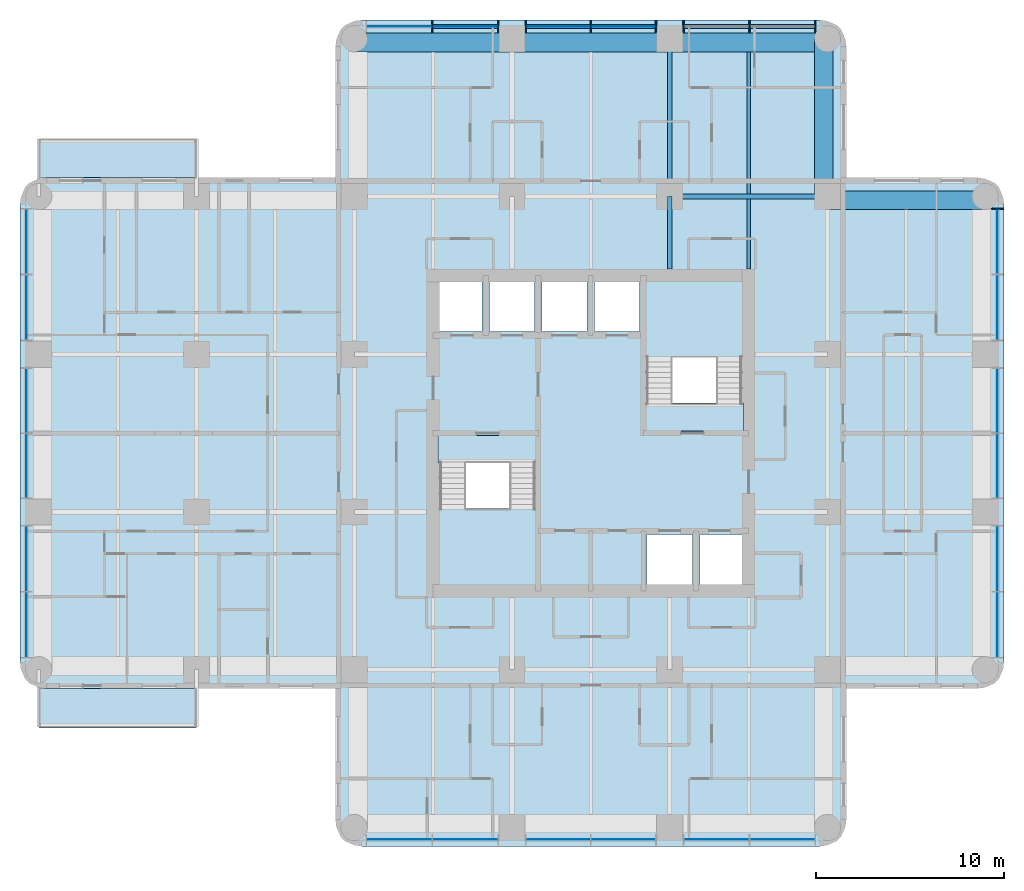
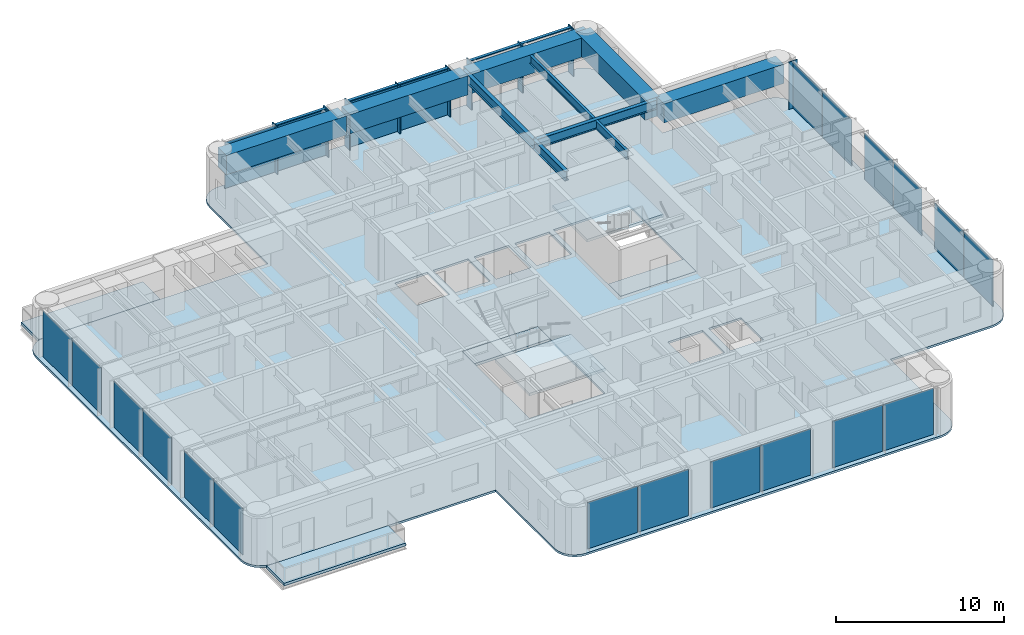
# One storey, part 3 of 11: 22 plates, 14 members, 10 beams, 7 slabs, 6 elements without a shape of their own.
"""IFC4 building model written with IfcOpenShell, lengths in metres."""

from ifc_helpers import new_model, si_unit, direction, frame, origin, origin_2d, place, context, subcontext, project, spatial, polyline, rectangle, i_section, outline, extrude, material, layer, layer_set, material_profile, profile_set, type_object, element, aggregate, save


model = new_model("IFC4")

# Units and contexts
model_context = context("Model", 3, precision=1e-05, world=origin(), true_north=direction((0.0, 1.0)))
body_context = subcontext(model_context, "Body", "Model", "MODEL_VIEW")
ifc_project = project(units=[si_unit("LENGTHUNIT", "METRE"), si_unit("AREAUNIT", "SQUARE_METRE"), si_unit("VOLUMEUNIT", "CUBIC_METRE"), si_unit("PLANEANGLEUNIT", "RADIAN"), si_unit("MASSUNIT", "GRAM", prefix="KILO")], contexts=[model_context])

# Site, building, storey
site_placement = place(None, origin())
site = spatial("IfcSite", under=ifc_project, at=site_placement, CompositionType="ELEMENT")
building_placement = place(site_placement, origin())
building = spatial("IfcBuilding", under=site, at=building_placement, Name="Torre Alcanfor", CompositionType="ELEMENT")
storey_placement = place(building_placement, frame((0.0, 0.0, 194.10009765625)))
storey = spatial("IfcBuildingStorey", under=building, at=storey_placement, Name="L50", CompositionType="ELEMENT", Elevation=194.10009765625)

# Curtain wall, member
ifc_material_1 = material(Name="Aluminium and glass", Category="aluminium")
curtain_wall_type = type_object("IfcCurtainWallType", Name="CW-A unitised apartment glazing with vertical FIN", PredefinedType="NOTDEFINED", material=ifc_material_1)
curtain_wall_1_placement = place(storey_placement, origin())
curtain_wall_1 = element("IfcCurtainWall", 1, at=curtain_wall_1_placement, inside=storey, type_object=curtain_wall_type, Name="Curtain wall CW-A L50 8", PredefinedType="NOTDEFINED")
ifc_material_2 = material(Name="Bronze anodised aluminium", Category="aluminium")
ifc_material_profile_1 = material_profile(ifc_material_2, rectangle(XDim=0.60009765625, YDim=0.06494140625, at=origin_2d()), Name="CW-A mullion 65x600")
ifc_profile_set_1 = profile_set([ifc_material_profile_1], Name="Bronze anodised aluminium")
member_type_1 = type_object("IfcMemberType", Name="CW-A mullion with vertical FIN 65x600", PredefinedType="MULLION", material=ifc_profile_set_1)
member_1_placement = place(storey_placement, frame((51.050048828125, 41.35546875, 0.0), z_axis=(0.0, 0.0, 1.0), x_axis=(-1.0, 0.0, 0.0)))
member_1 = element("IfcMember", 2, at=member_1_placement, type_object=member_type_1, Name="CW-A mullion 3.3", PredefinedType="MULLION", context=body_context, shape_type="SweptSolid", body=[
    extrude(rectangle(XDim=0.60009765625, YDim=0.06494140625, at=origin_2d()), origin(), (0.0, 0.0, 1.0), 3.449951171875),
])

# Curtain wall, members
curtain_wall_2_placement = place(storey_placement, origin())
curtain_wall_2 = element("IfcCurtainWall", 3, at=curtain_wall_2_placement, inside=storey, type_object=curtain_wall_type, Name="Curtain wall CW-A L50 11", PredefinedType="NOTDEFINED")
member_2_placement = place(storey_placement, frame((41.35546875, 51.050048828125, 0.0), z_axis=(0.0, 0.0, 1.0), x_axis=(0.0, -1.0, 0.0)))
member_2 = element("IfcMember", 4, at=member_2_placement, type_object=member_type_1, Name="CW-A mullion 1.1", PredefinedType="MULLION", context=body_context, shape_type="SweptSolid", body=[
    extrude(rectangle(XDim=0.60009765625, YDim=0.06494140625, at=origin_2d()), origin(), (0.0, 0.0, 1.0), 3.449951171875),
])
member_3_placement = place(storey_placement, frame((37.846435546875, 51.050048828125, 0.0), z_axis=(0.0, 0.0, 1.0), x_axis=(0.0, -1.0, 0.0)))
member_3 = element("IfcMember", 5, at=member_3_placement, type_object=member_type_1, Name="CW-A mullion 1.2", PredefinedType="MULLION", context=body_context, shape_type="SweptSolid", body=[
    extrude(rectangle(XDim=0.60009765625, YDim=0.06494140625, at=origin_2d()), origin(), (0.0, 0.0, 1.0), 3.449951171875),
])
member_4_placement = place(storey_placement, frame((34.33740234375, 51.050048828125, 0.0), z_axis=(0.0, 0.0, 1.0), x_axis=(0.0, -1.0, 0.0)))
member_4 = element("IfcMember", 6, at=member_4_placement, type_object=member_type_1, Name="CW-A mullion 1.3", PredefinedType="MULLION", context=body_context, shape_type="SweptSolid", body=[
    extrude(rectangle(XDim=0.60009765625, YDim=0.06494140625, at=origin_2d()), origin(), (0.0, 0.0, 1.0), 3.449951171875),
])
member_5_placement = place(storey_placement, frame((32.862548828125, 51.050048828125, 0.0), z_axis=(0.0, 0.0, 1.0), x_axis=(0.0, -1.0, 0.0)))
member_5 = element("IfcMember", 7, at=member_5_placement, type_object=member_type_1, Name="CW-A mullion 2.1", PredefinedType="MULLION", context=body_context, shape_type="SweptSolid", body=[
    extrude(rectangle(XDim=0.60009765625, YDim=0.06494140625, at=origin_2d()), origin(), (0.0, 0.0, 1.0), 3.449951171875),
])
member_6_placement = place(storey_placement, frame((29.39990234375, 51.050048828125, 0.0), z_axis=(0.0, 0.0, 1.0), x_axis=(0.0, -1.0, 0.0)))
member_6 = element("IfcMember", 8, at=member_6_placement, type_object=member_type_1, Name="CW-A mullion 2.2", PredefinedType="MULLION", context=body_context, shape_type="SweptSolid", body=[
    extrude(rectangle(XDim=0.60009765625, YDim=0.06494140625, at=origin_2d()), origin(), (0.0, 0.0, 1.0), 3.449951171875),
])
member_7_placement = place(storey_placement, frame((25.9375, 51.050048828125, 0.0), z_axis=(0.0, 0.0, 1.0), x_axis=(0.0, -1.0, 0.0)))
member_7 = element("IfcMember", 9, at=member_7_placement, type_object=member_type_1, Name="CW-A mullion 2.3", PredefinedType="MULLION", context=body_context, shape_type="SweptSolid", body=[
    extrude(rectangle(XDim=0.60009765625, YDim=0.06494140625, at=origin_2d()), origin(), (0.0, 0.0, 1.0), 3.449951171875),
])
member_8_placement = place(storey_placement, frame((24.46240234375, 51.050048828125, 0.0), z_axis=(0.0, 0.0, 1.0), x_axis=(0.0, -1.0, 0.0)))
member_8 = element("IfcMember", 10, at=member_8_placement, type_object=member_type_1, Name="CW-A mullion 3.1", PredefinedType="MULLION", context=body_context, shape_type="SweptSolid", body=[
    extrude(rectangle(XDim=0.60009765625, YDim=0.06494140625, at=origin_2d()), origin(), (0.0, 0.0, 1.0), 3.449951171875),
])
member_9_placement = place(storey_placement, frame((20.95361328125, 51.050048828125, 0.0), z_axis=(0.0, 0.0, 1.0), x_axis=(0.0, -1.0, 0.0)))
member_9 = element("IfcMember", 11, at=member_9_placement, type_object=member_type_1, Name="CW-A mullion 3.2", PredefinedType="MULLION", context=body_context, shape_type="SweptSolid", body=[
    extrude(rectangle(XDim=0.60009765625, YDim=0.06494140625, at=origin_2d()), origin(), (0.0, 0.0, 1.0), 3.449951171875),
])
ifc_material_3 = material(Name="Extruded aluminium", Category="aluminium")
ifc_material_profile_2 = material_profile(ifc_material_3, rectangle(XDim=0.199951171875, YDim=0.06494140625, at=origin_2d()), Name="CW-A transom 200x65")
ifc_profile_set_2 = profile_set([ifc_material_profile_2], Name="Extruded aluminium")
member_type_2 = type_object("IfcMemberType", Name="CW-A transom 65x200", PredefinedType="USERDEFINED", material=ifc_profile_set_2)
member_10_placement = place(storey_placement, frame((41.322998046875, 51.050048828125, 3.41748046875), z_axis=(-1.0, 0.0, 0.0), x_axis=(0.0, -1.0, 0.0)))
member_10 = element("IfcMember", 12, at=member_10_placement, type_object=member_type_2, Name="CW-A transom 1.1.2", ObjectType="TRANSOM", PredefinedType="USERDEFINED", context=body_context, shape_type="SweptSolid", body=[
    extrude(rectangle(XDim=0.199951171875, YDim=0.06494140625, at=origin_2d()), origin(), (0.0, 0.0, 1.0), 3.444091796875),
])
member_11_placement = place(storey_placement, frame((37.81396484375, 51.050048828125, 3.41748046875), z_axis=(-1.0, 0.0, 0.0), x_axis=(0.0, -1.0, 0.0)))
member_11 = element("IfcMember", 13, at=member_11_placement, type_object=member_type_2, Name="CW-A transom 1.2.2", ObjectType="TRANSOM", PredefinedType="USERDEFINED", context=body_context, shape_type="SweptSolid", body=[
    extrude(rectangle(XDim=0.199951171875, YDim=0.06494140625, at=origin_2d()), origin(), (0.0, 0.0, 1.0), 3.44384765625),
])
member_12_placement = place(storey_placement, frame((32.830078125, 51.050048828125, 3.41748046875), z_axis=(-1.0, 0.0, 0.0), x_axis=(0.0, -1.0, 0.0)))
member_12 = element("IfcMember", 14, at=member_12_placement, type_object=member_type_2, Name="CW-A transom 2.1.2", ObjectType="TRANSOM", PredefinedType="USERDEFINED", context=body_context, shape_type="SweptSolid", body=[
    extrude(rectangle(XDim=0.199951171875, YDim=0.06494140625, at=origin_2d()), origin(), (0.0, 0.0, 1.0), 3.3974609375),
])
member_13_placement = place(storey_placement, frame((29.367431640625, 51.050048828125, 3.41748046875), z_axis=(-1.0, 0.0, 0.0), x_axis=(0.0, -1.0, 0.0)))
member_13 = element("IfcMember", 15, at=member_13_placement, type_object=member_type_2, Name="CW-A transom 2.2.2", ObjectType="TRANSOM", PredefinedType="USERDEFINED", context=body_context, shape_type="SweptSolid", body=[
    extrude(rectangle(XDim=0.199951171875, YDim=0.06494140625, at=origin_2d()), origin(), (0.0, 0.0, 1.0), 3.3974609375),
])
member_14_placement = place(storey_placement, frame((24.429931640625, 51.050048828125, 3.41748046875), z_axis=(-1.0, 0.0, 0.0), x_axis=(0.0, -1.0, 0.0)))
member_14 = element("IfcMember", 16, at=member_14_placement, type_object=member_type_2, Name="CW-A transom 3.1.2", ObjectType="TRANSOM", PredefinedType="USERDEFINED", context=body_context, shape_type="SweptSolid", body=[
    extrude(rectangle(XDim=0.199951171875, YDim=0.06494140625, at=origin_2d()), origin(), (0.0, 0.0, 1.0), 3.44384765625),
])

# Beams
ifc_material_4 = material(Name="Steel ASTM A992 Grade 50", Category="steel")
ifc_material_profile_3 = material_profile(ifc_material_4, i_section(OverallWidth=0.25390625, OverallDepth=0.683349609375, WebThickness=0.012451171875, FlangeThickness=0.01904296875, at=origin_2d()), Name="W27x94")
ifc_profile_set_3 = profile_set([ifc_material_profile_3], Name="Steel ASTM A992 Grade 50")
beam_type_1 = type_object("IfcBeamType", Name="Girder W27x94", PredefinedType="BEAM", material=ifc_profile_set_3)
for number, where, z_axis, x_axis, name in (
    (17, (33.60009765625, 42.0, 3.108154296875), (1.0, 0.0, 0.0), (0.0, 1.0, 0.0), "Beam 5H-6H under L51"),
    (18, (33.60009765625, 42.0, 3.108154296875), (0.0, 1.0, 0.0), (-1.0, 0.0, 0.0), "Beam 5H-5J under L51"),
):
    element("IfcBeam", number, at=place(storey_placement, frame(where, z_axis=z_axis, x_axis=x_axis)), inside=storey, type_object=beam_type_1, Name=name, PredefinedType="BEAM", context=body_context, shape_type="SweptSolid", body=[
        extrude(i_section(OverallWidth=0.25390625, OverallDepth=0.683349609375, WebThickness=0.012451171875, FlangeThickness=0.01904296875, at=origin_2d()), origin(), (0.0, 0.0, 1.0), 8.39990234375),
    ])
ifc_material_5 = material(Name="Steel ASTM A992 Grade 50", Category="steel")
ifc_material_profile_4 = material_profile(ifc_material_5, i_section(OverallWidth=0.25390625, OverallDepth=0.683349609375, WebThickness=0.012451171875, FlangeThickness=0.01904296875, at=origin_2d()), Name="W27x94")
ifc_profile_set_4 = profile_set([ifc_material_profile_4], Name="Steel ASTM A992 Grade 50")
beam_type_2 = type_object("IfcBeamType", Name="Girder, part bay W27x94", PredefinedType="BEAM", material=ifc_profile_set_4)
beam_1_placement = place(storey_placement, frame((33.60009765625, 42.0, 3.108154296875), z_axis=(0.0, -1.0, 0.0), x_axis=(1.0, 0.0, 0.0)))
element("IfcBeam", 19, at=beam_1_placement, inside=storey, type_object=beam_type_2, Name="Beam 5H-538_15 under L51", PredefinedType="BEAM", context=body_context, shape_type="SweptSolid", body=[
    extrude(i_section(OverallWidth=0.25390625, OverallDepth=0.683349609375, WebThickness=0.012451171875, FlangeThickness=0.01904296875, at=origin_2d()), origin(), (0.0, 0.0, 1.0), 3.85009765625),
])
ifc_material_6 = material(Name="Concrete f'c 70 MPa", Category="concrete")
ifc_material_profile_5 = material_profile(ifc_material_6, rectangle(XDim=1.0, YDim=1.39990234375, at=origin_2d()), Name="1000x1400")
ifc_profile_set_5 = profile_set([ifc_material_profile_5], Name="Concrete f'c 70 MPa")
beam_type_3 = type_object("IfcBeamType", Name="RC perimeter beam 1000x1400", PredefinedType="BEAM", material=ifc_profile_set_5)
for number, where, z_axis, x_axis, name in (
    (20, (42.126953125, 41.800048828125, 2.75), (1.0, 0.0, 0.0), (0.0, 1.0, 0.0), "Beam 6H-7H under L51"),
    (21, (16.800048828125, 50.199951171875, 2.75), (1.0, 0.0, 0.0), (0.0, 1.0, 0.0), "Beam 3J-4J under L51"),
):
    element("IfcBeam", number, at=place(storey_placement, frame(where, z_axis=z_axis, x_axis=x_axis)), inside=storey, type_object=beam_type_3, Name=name, PredefinedType="BEAM", context=body_context, shape_type="SweptSolid", body=[
        extrude(rectangle(XDim=1.0, YDim=1.39990234375, at=origin_2d()), origin(), (0.0, 0.0, 1.0), 8.27294921875),
    ])
beam_2_placement = place(storey_placement, frame((25.326904296875, 50.199951171875, 2.75), z_axis=(1.0, 0.0, 0.0), x_axis=(0.0, 1.0, 0.0)))
element("IfcBeam", 22, at=beam_2_placement, inside=storey, type_object=beam_type_3, Name="Beam 4J-5J under L51", PredefinedType="BEAM", context=body_context, shape_type="SweptSolid", body=[
    extrude(rectangle(XDim=1.0, YDim=1.39990234375, at=origin_2d()), origin(), (0.0, 0.0, 1.0), 8.14599609375),
])
for number, where, z_axis, x_axis, name in (
    (23, (33.72705078125, 50.199951171875, 2.75), (1.0, 0.0, 0.0), (0.0, 1.0, 0.0), "Beam 5J-6J under L51"),
    (24, (41.800048828125, 42.126953125, 2.75), (0.0, 1.0, 0.0), (-1.0, 0.0, 0.0), "Beam 6H-6J under L51"),
):
    element("IfcBeam", number, at=place(storey_placement, frame(where, z_axis=z_axis, x_axis=x_axis)), inside=storey, type_object=beam_type_3, Name=name, PredefinedType="BEAM", context=body_context, shape_type="SweptSolid", body=[
        extrude(rectangle(XDim=1.0, YDim=1.39990234375, at=origin_2d()), origin(), (0.0, 0.0, 1.0), 8.27294921875),
    ])
ifc_material_7 = material(Name="Steel ASTM A992 Grade 50", Category="steel")
ifc_material_profile_6 = material_profile(ifc_material_7, i_section(OverallWidth=0.1787109375, OverallDepth=0.60205078125, WebThickness=0.010986328125, FlangeThickness=0.014892578125, at=origin_2d()), Name="W24x62")
ifc_profile_set_6 = profile_set([ifc_material_profile_6], Name="Steel ASTM A992 Grade 50")
beam_type_4 = type_object("IfcBeamType", Name="Secondary beam W24x62", PredefinedType="BEAM", material=ifc_profile_set_6)
beam_3_placement = place(storey_placement, frame((37.800048828125, 42.126953125, 3.14892578125), z_axis=(0.0, 1.0, 0.0), x_axis=(-1.0, 0.0, 0.0)))
element("IfcBeam", 25, at=beam_3_placement, inside=storey, type_object=beam_type_4, Name="Beam 37_8H-37_8J under L51", PredefinedType="BEAM", context=body_context, shape_type="SweptSolid", body=[
    extrude(i_section(OverallWidth=0.1787109375, OverallDepth=0.60205078125, WebThickness=0.010986328125, FlangeThickness=0.014892578125, at=origin_2d()), origin(), (0.0, 0.0, 1.0), 7.572998046875),
])
ifc_material_8 = material(Name="Steel ASTM A992 Grade 50", Category="steel")
ifc_material_profile_7 = material_profile(ifc_material_8, i_section(OverallWidth=0.1787109375, OverallDepth=0.60205078125, WebThickness=0.010986328125, FlangeThickness=0.014892578125, at=origin_2d()), Name="W24x62")
ifc_profile_set_7 = profile_set([ifc_material_profile_7], Name="Steel ASTM A992 Grade 50")
beam_type_5 = type_object("IfcBeamType", Name="Secondary beam, part bay W24x62", PredefinedType="BEAM", material=ifc_profile_set_7)
beam_4_placement = place(storey_placement, frame((37.800048828125, 38.14990234375, 3.14892578125), z_axis=(0.0, 1.0, 0.0), x_axis=(-1.0, 0.0, 0.0)))
element("IfcBeam", 26, at=beam_4_placement, inside=storey, type_object=beam_type_5, Name="Beam 37_838_15-37_8H under L51", PredefinedType="BEAM", context=body_context, shape_type="SweptSolid", body=[
    extrude(i_section(OverallWidth=0.1787109375, OverallDepth=0.60205078125, WebThickness=0.010986328125, FlangeThickness=0.014892578125, at=origin_2d()), origin(), (0.0, 0.0, 1.0), 3.72314453125),
])

# Slabs
ifc_material_9 = material(Name="Concrete f'c 35 MPa", Category="concrete")
ifc_layer_1 = layer(ifc_material_9, 0.199951171875)
ifc_layer_set_1 = layer_set([ifc_layer_1], Name="Balcony slab 200")
slab_type_1 = type_object("IfcSlabType", Name="Balcony slab 200", PredefinedType="FLOOR", material=ifc_layer_set_1)
slab_1_placement = place(storey_placement, frame((0.0, 0.0, -0.2001953125)))
element("IfcSlab", 27, at=slab_1_placement, inside=storey, type_object=slab_type_1, Name="Balcony L50-W1", PredefinedType="FLOOR", context=body_context, shape_type="SweptSolid", body=[
    extrude(outline(polyline([(8.39990234375, 15.800048828125), (0.0, 15.800048828125), (0.0, 13.699951171875), (8.39990234375, 13.699951171875), (8.39990234375, 15.800048828125)])), origin(), (0.0, 0.0, 1.0), 0.2001953125),
])
slab_2_placement = place(storey_placement, frame((0.0, 0.0, -0.2001953125)))
element("IfcSlab", 28, at=slab_2_placement, inside=storey, type_object=slab_type_1, Name="Balcony L50-W2", PredefinedType="FLOOR", context=body_context, shape_type="SweptSolid", body=[
    extrude(outline(polyline([(8.39990234375, 45.10009765625), (0.0, 45.10009765625), (0.0, 43.0), (8.39990234375, 43.0), (8.39990234375, 45.10009765625)])), origin(), (0.0, 0.0, 1.0), 0.2001953125),
])

# Curtain wall, plates
curtain_wall_3_placement = place(storey_placement, origin())
curtain_wall_3 = element("IfcCurtainWall", 29, at=curtain_wall_3_placement, inside=storey, type_object=curtain_wall_type, Name="Curtain wall CW-A L50 2", PredefinedType="NOTDEFINED")
ifc_material_10 = material(Name="Glass", Category="glass")
ifc_layer_2 = layer(ifc_material_10, 0.028076171875)
ifc_layer_set_2 = layer_set([ifc_layer_2], Name="CW-A clear double glazed unit")
plate_type = type_object("IfcPlateType", Name="CW-A clear double glazed unit", PredefinedType="CURTAIN_PANEL", material=ifc_layer_set_2)
plate_1_placement = place(storey_placement, frame((-0.64990234375, 39.60107421875, 0.0), z_axis=(0.0, 0.0, 1.0), x_axis=(0.0, -1.0, 0.0)))
plate_1 = element("IfcPlate", 30, at=plate_1_placement, type_object=plate_type, Name="CW-A panel 1.1.1", PredefinedType="CURTAIN_PANEL", context=body_context, shape_type="SweptSolid", body=[
    extrude(rectangle(XDim=3.444091796875, YDim=0.028076171875, at=origin_2d()), origin(), (0.0, 0.0, 1.0), 3.385009765625),
])
plate_2_placement = place(storey_placement, frame((-0.64990234375, 36.092041015625, 0.0), z_axis=(0.0, 0.0, 1.0), x_axis=(0.0, -1.0, 0.0)))
plate_2 = element("IfcPlate", 31, at=plate_2_placement, type_object=plate_type, Name="CW-A panel 1.2.1", PredefinedType="CURTAIN_PANEL", context=body_context, shape_type="SweptSolid", body=[
    extrude(rectangle(XDim=3.444091796875, YDim=0.028076171875, at=origin_2d()), origin(), (0.0, 0.0, 1.0), 3.385009765625),
])
plate_3_placement = place(storey_placement, frame((-0.64990234375, 31.13134765625, 0.0), z_axis=(0.0, 0.0, 1.0), x_axis=(0.0, -1.0, 0.0)))
plate_3 = element("IfcPlate", 32, at=plate_3_placement, type_object=plate_type, Name="CW-A panel 2.1.1", PredefinedType="CURTAIN_PANEL", context=body_context, shape_type="SweptSolid", body=[
    extrude(rectangle(XDim=3.3974609375, YDim=0.028076171875, at=origin_2d()), origin(), (0.0, 0.0, 1.0), 3.385009765625),
])
plate_4_placement = place(storey_placement, frame((-0.64990234375, 27.668701171875, 0.0), z_axis=(0.0, 0.0, 1.0), x_axis=(0.0, -1.0, 0.0)))
plate_4 = element("IfcPlate", 33, at=plate_4_placement, type_object=plate_type, Name="CW-A panel 2.2.1", PredefinedType="CURTAIN_PANEL", context=body_context, shape_type="SweptSolid", body=[
    extrude(rectangle(XDim=3.3974609375, YDim=0.028076171875, at=origin_2d()), origin(), (0.0, 0.0, 1.0), 3.385009765625),
])
plate_5_placement = place(storey_placement, frame((-0.64990234375, 22.7080078125, 0.0), z_axis=(0.0, 0.0, 1.0), x_axis=(0.0, -1.0, 0.0)))
plate_5 = element("IfcPlate", 34, at=plate_5_placement, type_object=plate_type, Name="CW-A panel 3.1.1", PredefinedType="CURTAIN_PANEL", context=body_context, shape_type="SweptSolid", body=[
    extrude(rectangle(XDim=3.444091796875, YDim=0.028076171875, at=origin_2d()), origin(), (0.0, 0.0, 1.0), 3.385009765625),
])
plate_6_placement = place(storey_placement, frame((-0.64990234375, 19.198974609375, 0.0), z_axis=(0.0, 0.0, 1.0), x_axis=(0.0, -1.0, 0.0)))
plate_6 = element("IfcPlate", 35, at=plate_6_placement, type_object=plate_type, Name="CW-A panel 3.2.1", PredefinedType="CURTAIN_PANEL", context=body_context, shape_type="SweptSolid", body=[
    extrude(rectangle(XDim=3.444091796875, YDim=0.028076171875, at=origin_2d()), origin(), (0.0, 0.0, 1.0), 3.385009765625),
])
aggregate(curtain_wall_3, [plate_1, plate_2, plate_3, plate_4, plate_5, plate_6])

curtain_wall_4_placement = place(storey_placement, origin())
curtain_wall_4 = element("IfcCurtainWall", 36, at=curtain_wall_4_placement, inside=storey, type_object=curtain_wall_type, Name="Curtain wall CW-A L50 5", PredefinedType="NOTDEFINED")
plate_7_placement = place(storey_placement, frame((19.198974609375, 7.75, 0.0), z_axis=(0.0, 0.0, 1.0), x_axis=(1.0, 0.0, 0.0)))
plate_7 = element("IfcPlate", 37, at=plate_7_placement, type_object=plate_type, Name="CW-A panel 1.1.1", PredefinedType="CURTAIN_PANEL", context=body_context, shape_type="SweptSolid", body=[
    extrude(rectangle(XDim=3.444091796875, YDim=0.028076171875, at=origin_2d()), origin(), (0.0, 0.0, 1.0), 3.385009765625),
])
plate_8_placement = place(storey_placement, frame((22.7080078125, 7.75, 0.0), z_axis=(0.0, 0.0, 1.0), x_axis=(1.0, 0.0, 0.0)))
plate_8 = element("IfcPlate", 38, at=plate_8_placement, type_object=plate_type, Name="CW-A panel 1.2.1", PredefinedType="CURTAIN_PANEL", context=body_context, shape_type="SweptSolid", body=[
    extrude(rectangle(XDim=3.444091796875, YDim=0.028076171875, at=origin_2d()), origin(), (0.0, 0.0, 1.0), 3.385009765625),
])
plate_9_placement = place(storey_placement, frame((27.668701171875, 7.75, 0.0), z_axis=(0.0, 0.0, 1.0), x_axis=(1.0, 0.0, 0.0)))
plate_9 = element("IfcPlate", 39, at=plate_9_placement, type_object=plate_type, Name="CW-A panel 2.1.1", PredefinedType="CURTAIN_PANEL", context=body_context, shape_type="SweptSolid", body=[
    extrude(rectangle(XDim=3.3974609375, YDim=0.028076171875, at=origin_2d()), origin(), (0.0, 0.0, 1.0), 3.385009765625),
])
plate_10_placement = place(storey_placement, frame((31.13134765625, 7.75, 0.0), z_axis=(0.0, 0.0, 1.0), x_axis=(1.0, 0.0, 0.0)))
plate_10 = element("IfcPlate", 40, at=plate_10_placement, type_object=plate_type, Name="CW-A panel 2.2.1", PredefinedType="CURTAIN_PANEL", context=body_context, shape_type="SweptSolid", body=[
    extrude(rectangle(XDim=3.3974609375, YDim=0.028076171875, at=origin_2d()), origin(), (0.0, 0.0, 1.0), 3.385009765625),
])
plate_11_placement = place(storey_placement, frame((36.092041015625, 7.75, 0.0), z_axis=(0.0, 0.0, 1.0), x_axis=(1.0, 0.0, 0.0)))
plate_11 = element("IfcPlate", 41, at=plate_11_placement, type_object=plate_type, Name="CW-A panel 3.1.1", PredefinedType="CURTAIN_PANEL", context=body_context, shape_type="SweptSolid", body=[
    extrude(rectangle(XDim=3.444091796875, YDim=0.028076171875, at=origin_2d()), origin(), (0.0, 0.0, 1.0), 3.385009765625),
])
plate_12_placement = place(storey_placement, frame((39.60107421875, 7.75, 0.0), z_axis=(0.0, 0.0, 1.0), x_axis=(1.0, 0.0, 0.0)))
plate_12 = element("IfcPlate", 42, at=plate_12_placement, type_object=plate_type, Name="CW-A panel 3.2.1", PredefinedType="CURTAIN_PANEL", context=body_context, shape_type="SweptSolid", body=[
    extrude(rectangle(XDim=3.444091796875, YDim=0.028076171875, at=origin_2d()), origin(), (0.0, 0.0, 1.0), 3.385009765625),
])
aggregate(curtain_wall_4, [plate_7, plate_8, plate_9, plate_10, plate_11, plate_12])

# Plate
plate_13_placement = place(storey_placement, frame((51.050048828125, 19.198974609375, 0.0), z_axis=(0.0, 0.0, 1.0), x_axis=(0.0, 1.0, 0.0)))
plate_13 = element("IfcPlate", 43, at=plate_13_placement, type_object=plate_type, Name="CW-A panel 1.1.1", PredefinedType="CURTAIN_PANEL", context=body_context, shape_type="SweptSolid", body=[
    extrude(rectangle(XDim=3.444091796875, YDim=0.028076171875, at=origin_2d()), origin(), (0.0, 0.0, 1.0), 3.385009765625),
])

plate_14_placement = place(storey_placement, frame((51.050048828125, 22.7080078125, 0.0), z_axis=(0.0, 0.0, 1.0), x_axis=(0.0, 1.0, 0.0)))
plate_14 = element("IfcPlate", 44, at=plate_14_placement, type_object=plate_type, Name="CW-A panel 1.2.1", PredefinedType="CURTAIN_PANEL", context=body_context, shape_type="SweptSolid", body=[
    extrude(rectangle(XDim=3.444091796875, YDim=0.028076171875, at=origin_2d()), origin(), (0.0, 0.0, 1.0), 3.385009765625),
])

plate_15_placement = place(storey_placement, frame((51.050048828125, 27.668701171875, 0.0), z_axis=(0.0, 0.0, 1.0), x_axis=(0.0, 1.0, 0.0)))
plate_15 = element("IfcPlate", 45, at=plate_15_placement, type_object=plate_type, Name="CW-A panel 2.1.1", PredefinedType="CURTAIN_PANEL", context=body_context, shape_type="SweptSolid", body=[
    extrude(rectangle(XDim=3.3974609375, YDim=0.028076171875, at=origin_2d()), origin(), (0.0, 0.0, 1.0), 3.385009765625),
])

plate_16_placement = place(storey_placement, frame((51.050048828125, 31.13134765625, 0.0), z_axis=(0.0, 0.0, 1.0), x_axis=(0.0, 1.0, 0.0)))
plate_16 = element("IfcPlate", 46, at=plate_16_placement, type_object=plate_type, Name="CW-A panel 2.2.1", PredefinedType="CURTAIN_PANEL", context=body_context, shape_type="SweptSolid", body=[
    extrude(rectangle(XDim=3.3974609375, YDim=0.028076171875, at=origin_2d()), origin(), (0.0, 0.0, 1.0), 3.385009765625),
])

plate_17_placement = place(storey_placement, frame((51.050048828125, 36.092041015625, 0.0), z_axis=(0.0, 0.0, 1.0), x_axis=(0.0, 1.0, 0.0)))
plate_17 = element("IfcPlate", 47, at=plate_17_placement, type_object=plate_type, Name="CW-A panel 3.1.1", PredefinedType="CURTAIN_PANEL", context=body_context, shape_type="SweptSolid", body=[
    extrude(rectangle(XDim=3.444091796875, YDim=0.028076171875, at=origin_2d()), origin(), (0.0, 0.0, 1.0), 3.385009765625),
])

plate_18_placement = place(storey_placement, frame((51.050048828125, 39.60107421875, 0.0), z_axis=(0.0, 0.0, 1.0), x_axis=(0.0, 1.0, 0.0)))
plate_18 = element("IfcPlate", 48, at=plate_18_placement, type_object=plate_type, Name="CW-A panel 3.2.1", PredefinedType="CURTAIN_PANEL", context=body_context, shape_type="SweptSolid", body=[
    extrude(rectangle(XDim=3.444091796875, YDim=0.028076171875, at=origin_2d()), origin(), (0.0, 0.0, 1.0), 3.385009765625),
])

aggregate(curtain_wall_1, [plate_13, plate_14, plate_15, plate_16, member_1, plate_17, plate_18])

plate_19_placement = place(storey_placement, frame((31.13134765625, 51.050048828125, 0.0), z_axis=(0.0, 0.0, 1.0), x_axis=(-1.0, 0.0, 0.0)))
plate_19 = element("IfcPlate", 49, at=plate_19_placement, type_object=plate_type, Name="CW-A panel 2.1.1", PredefinedType="CURTAIN_PANEL", context=body_context, shape_type="SweptSolid", body=[
    extrude(rectangle(XDim=3.3974609375, YDim=0.028076171875, at=origin_2d()), origin(), (0.0, 0.0, 1.0), 3.385009765625),
])

plate_20_placement = place(storey_placement, frame((27.668701171875, 51.050048828125, 0.0), z_axis=(0.0, 0.0, 1.0), x_axis=(-1.0, 0.0, 0.0)))
plate_20 = element("IfcPlate", 50, at=plate_20_placement, type_object=plate_type, Name="CW-A panel 2.2.1", PredefinedType="CURTAIN_PANEL", context=body_context, shape_type="SweptSolid", body=[
    extrude(rectangle(XDim=3.3974609375, YDim=0.028076171875, at=origin_2d()), origin(), (0.0, 0.0, 1.0), 3.385009765625),
])

plate_21_placement = place(storey_placement, frame((22.7080078125, 51.050048828125, 0.0), z_axis=(0.0, 0.0, 1.0), x_axis=(-1.0, 0.0, 0.0)))
plate_21 = element("IfcPlate", 51, at=plate_21_placement, type_object=plate_type, Name="CW-A panel 3.1.1", PredefinedType="CURTAIN_PANEL", context=body_context, shape_type="SweptSolid", body=[
    extrude(rectangle(XDim=3.444091796875, YDim=0.028076171875, at=origin_2d()), origin(), (0.0, 0.0, 1.0), 3.385009765625),
])

plate_22_placement = place(storey_placement, frame((19.198974609375, 51.050048828125, 0.0), z_axis=(0.0, 0.0, 1.0), x_axis=(-1.0, 0.0, 0.0)))
plate_22 = element("IfcPlate", 52, at=plate_22_placement, type_object=plate_type, Name="CW-A panel 3.2.1", PredefinedType="CURTAIN_PANEL", context=body_context, shape_type="SweptSolid", body=[
    extrude(rectangle(XDim=3.444091796875, YDim=0.028076171875, at=origin_2d()), origin(), (0.0, 0.0, 1.0), 3.385009765625),
])

aggregate(curtain_wall_2, [member_2, member_3, member_4, member_10, member_11, member_5, member_6, member_7, member_12, plate_19, member_13, plate_20, member_8, member_9, member_14, plate_21, plate_22])

# Slab
ifc_material_11 = material(Name="Concrete f'c 35 MPa", Category="concrete")
ifc_layer_3 = layer(ifc_material_11, 0.14990234375)
ifc_layer_set_3 = layer_set([ifc_layer_3], Name="Composite floor 150 on metal deck")
slab_type_2 = type_object("IfcSlabType", Name="Composite floor 150 on metal deck", PredefinedType="FLOOR", material=ifc_layer_set_3)
slab_3_placement = place(storey_placement, frame((0.0, 0.0, -0.150146484375)))
element("IfcSlab", 53, at=slab_3_placement, inside=storey, type_object=slab_type_2, Name="Floor slab L50", PredefinedType="FLOOR", context=body_context, shape_type="SweptSolid", body=[
    extrude(outline(polyline([(15.800048828125, 43.0), (0.39990234375, 43.0), (0.03759765625, 42.952392578125), (-0.300048828125, 42.8125), (-0.58984375, 42.58984375), (-0.8125, 42.300048828125), (-0.952392578125, 41.96240234375), (-1.0, 41.60009765625), (-1.0, 17.199951171875), (-0.952392578125, 16.837646484375), (-0.8125, 16.5), (-0.58984375, 16.210205078125), (-0.300048828125, 15.987548828125), (0.03759765625, 15.84765625), (0.39990234375, 15.800048828125), (15.800048828125, 15.800048828125), (15.800048828125, 8.800048828125), (15.84765625, 8.437744140625), (15.987548828125, 8.10009765625), (16.210205078125, 7.81005859375), (16.5, 7.587646484375), (16.837646484375, 7.44775390625), (17.199951171875, 7.39990234375), (41.60009765625, 7.39990234375), (41.96240234375, 7.44775390625), (42.300048828125, 7.587646484375), (42.58984375, 7.81005859375), (42.8125, 8.10009765625), (42.952392578125, 8.437744140625), (43.0, 8.800048828125), (43.0, 15.800048828125), (50.0, 15.800048828125), (50.3623046875, 15.84765625), (50.699951171875, 15.987548828125), (50.989990234375, 16.210205078125), (51.21240234375, 16.5), (51.352294921875, 16.837646484375), (51.39990234375, 17.199951171875), (51.39990234375, 41.60009765625), (51.352294921875, 41.96240234375), (51.21240234375, 42.300048828125), (50.989990234375, 42.58984375), (50.699951171875, 42.8125), (50.3623046875, 42.952392578125), (50.0, 43.0), (43.0, 43.0), (43.0, 50.0), (42.952392578125, 50.3623046875), (42.8125, 50.699951171875), (42.58984375, 50.989990234375), (42.300048828125, 51.21240234375), (41.96240234375, 51.352294921875), (41.60009765625, 51.39990234375), (17.199951171875, 51.39990234375), (16.837646484375, 51.352294921875), (16.5, 51.21240234375), (16.210205078125, 50.989990234375), (15.987548828125, 50.699951171875), (15.84765625, 50.3623046875), (15.800048828125, 50.0), (15.800048828125, 43.0)]), holes=[polyline([(21.27001953125, 21.27001953125), (26.47998046875, 21.27001953125), (26.47998046875, 29.280029296875), (21.27001953125, 29.280029296875), (21.27001953125, 21.27001953125)]), polyline([(32.320068359375, 29.52001953125), (37.530029296875, 29.52001953125), (37.530029296875, 37.530029296875), (32.320068359375, 37.530029296875), (32.320068359375, 29.52001953125)]), polyline([(32.39990234375, 21.35009765625), (34.800048828125, 21.35009765625), (34.800048828125, 24.0), (32.39990234375, 24.0), (32.39990234375, 21.35009765625)]), polyline([(35.199951171875, 21.35009765625), (37.449951171875, 21.35009765625), (37.449951171875, 24.0), (35.199951171875, 24.0), (35.199951171875, 21.35009765625)]), polyline([(21.35009765625, 34.800048828125), (23.60009765625, 34.800048828125), (23.60009765625, 37.449951171875), (21.35009765625, 37.449951171875), (21.35009765625, 34.800048828125)]), polyline([(24.0, 34.800048828125), (26.39990234375, 34.800048828125), (26.39990234375, 37.449951171875), (24.0, 37.449951171875), (24.0, 34.800048828125)]), polyline([(26.800048828125, 34.800048828125), (29.199951171875, 34.800048828125), (29.199951171875, 37.449951171875), (26.800048828125, 37.449951171875), (26.800048828125, 34.800048828125)]), polyline([(29.60009765625, 34.800048828125), (32.0, 34.800048828125), (32.0, 37.449951171875), (29.60009765625, 37.449951171875), (29.60009765625, 34.800048828125)])]), origin(), (0.0, 0.0, 1.0), 0.150146484375),
])

# Stair, slabs
ifc_material_12 = material(Name="Concrete f'c 35 MPa", Category="concrete")
stair_type_1 = type_object("IfcStairType", Name="Exit stair S1 1400 wide", PredefinedType="HALF_TURN_STAIR", material=ifc_material_12)
stair_1_placement = place(storey_placement, origin())
stair_1 = element("IfcStair", 54, at=stair_1_placement, inside=storey, type_object=stair_type_1, Name="Stair S1 L50 to L51", PredefinedType="HALF_TURN_STAIR")
ifc_material_13 = material(Name="Concrete f'c 35 MPa", Category="concrete")
ifc_layer_4 = layer(ifc_material_13, 0.199951171875)
ifc_layer_set_4 = layer_set([ifc_layer_4], Name="Stair landing 200")
slab_type_3 = type_object("IfcSlabType", Name="Stair landing 200", PredefinedType="LANDING", material=ifc_layer_set_4)
slab_4_placement = place(storey_placement, frame((0.0, 0.0, -0.2001953125)))
slab_4 = element("IfcSlab", 55, at=slab_4_placement, type_object=slab_type_3, Name="S1 landing 1", PredefinedType="LANDING", context=body_context, shape_type="SweptSolid", body=[
    extrude(outline(polyline([(21.27001953125, 27.800048828125), (26.47998046875, 27.800048828125), (26.47998046875, 29.280029296875), (21.27001953125, 29.280029296875), (21.27001953125, 27.800048828125)])), origin(), (0.0, 0.0, 1.0), 0.2001953125),
])
slab_5_placement = place(storey_placement, frame((0.0, 0.0, 1.599853515625)))
slab_5 = element("IfcSlab", 56, at=slab_5_placement, type_object=slab_type_3, Name="S1 landing 2", PredefinedType="LANDING", context=body_context, shape_type="SweptSolid", body=[
    extrude(outline(polyline([(21.27001953125, 21.27001953125), (26.530029296875, 21.27001953125), (26.530029296875, 25.3798828125), (21.27001953125, 25.3798828125), (21.27001953125, 21.27001953125)])), origin(), (0.0, 0.0, 1.0), 0.199951171875),
])
aggregate(stair_1, [slab_4, slab_5])

ifc_material_14 = material(Name="Concrete f'c 35 MPa", Category="concrete")
stair_type_2 = type_object("IfcStairType", Name="Exit stair S2 1400 wide", PredefinedType="HALF_TURN_STAIR", material=ifc_material_14)
stair_2_placement = place(storey_placement, origin())
stair_2 = element("IfcStair", 57, at=stair_2_placement, inside=storey, type_object=stair_type_2, Name="Stair S2 L50 to L51", PredefinedType="HALF_TURN_STAIR")
slab_6_placement = place(storey_placement, frame((0.0, 0.0, -0.2001953125)))
slab_6 = element("IfcSlab", 58, at=slab_6_placement, type_object=slab_type_3, Name="S2 landing 1", PredefinedType="LANDING", context=body_context, shape_type="SweptSolid", body=[
    extrude(outline(polyline([(32.320068359375, 29.52001953125), (37.530029296875, 29.52001953125), (37.530029296875, 31.0), (32.320068359375, 31.0), (32.320068359375, 29.52001953125)])), origin(), (0.0, 0.0, 1.0), 0.2001953125),
])
slab_7_placement = place(storey_placement, frame((0.0, 0.0, 1.599853515625)))
slab_7 = element("IfcSlab", 59, at=slab_7_placement, type_object=slab_type_3, Name="S2 landing 2", PredefinedType="LANDING", context=body_context, shape_type="SweptSolid", body=[
    extrude(outline(polyline([(32.27001953125, 33.419921875), (37.530029296875, 33.419921875), (37.530029296875, 37.530029296875), (32.27001953125, 37.530029296875), (32.27001953125, 33.419921875)])), origin(), (0.0, 0.0, 1.0), 0.199951171875),
])
aggregate(stair_2, [slab_6, slab_7])

save(model, "model.ifc")
